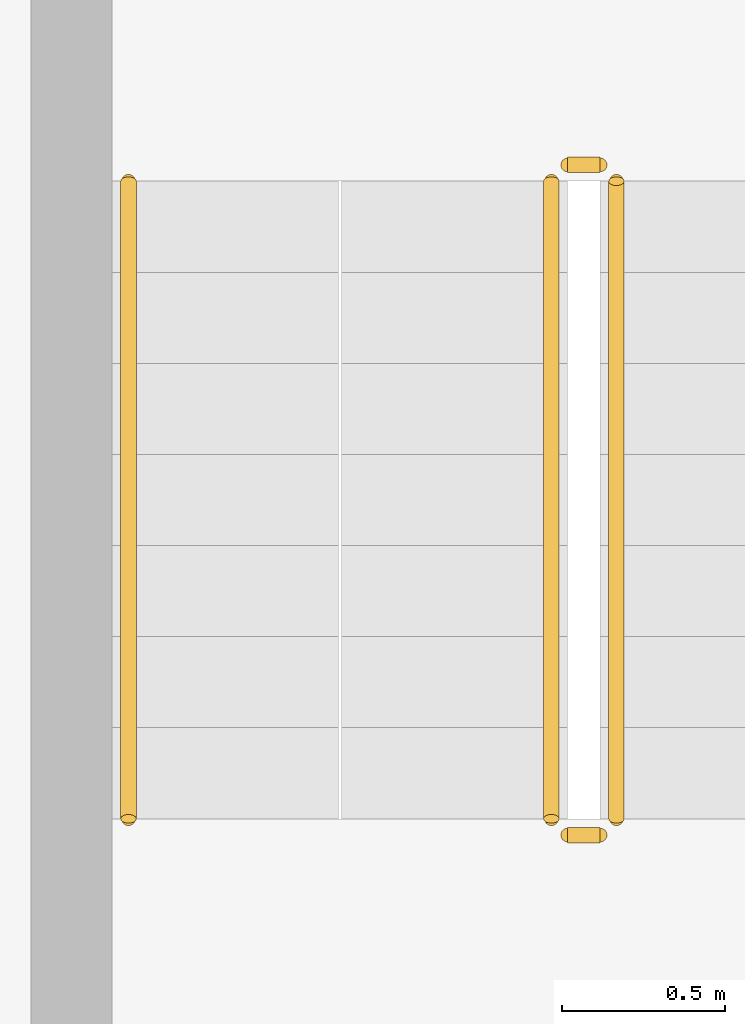
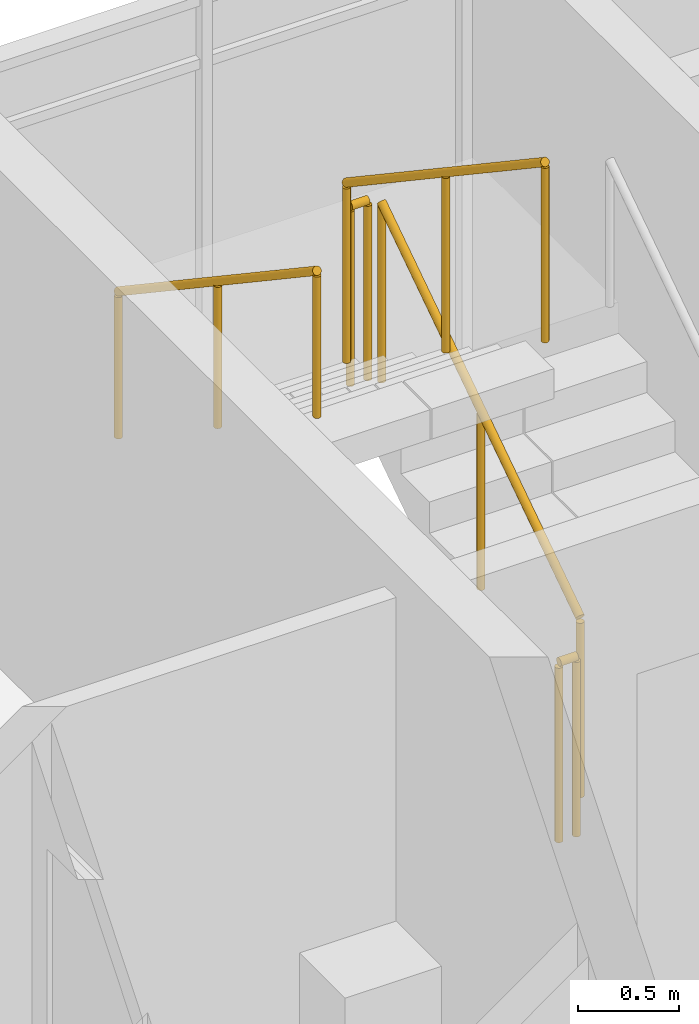
# One storey, part 78 of 94: 5 railings.
"""IFC4 building model written with IfcOpenShell, lengths in metres."""

from ifc_helpers import new_model, si_unit, direction, frame, origin, origin_2d, place, context, subcontext, project, spatial, circle, extrude, material, type_object, element, save


model = new_model("IFC4")

# Units and contexts
model_context = context("Model", 3, precision=1e-05, world=origin(), true_north=direction((0.0, 1.0)))
body_context = subcontext(model_context, "Body", "Model", "MODEL_VIEW")
ifc_project = project(units=[si_unit("LENGTHUNIT", "METRE"), si_unit("AREAUNIT", "SQUARE_METRE"), si_unit("VOLUMEUNIT", "CUBIC_METRE"), si_unit("PLANEANGLEUNIT", "RADIAN"), si_unit("MASSUNIT", "GRAM", prefix="KILO")], contexts=[model_context])

# Site, building, storey
site_placement = place(None, origin())
site = spatial("IfcSite", under=ifc_project, at=site_placement, CompositionType="ELEMENT")
building_placement = place(site_placement, origin())
building = spatial("IfcBuilding", under=site, at=building_placement, Name="Ridgestep Commons", CompositionType="ELEMENT")
storey_placement = place(building_placement, frame((0.0, 0.0, 24.0)))
storey = spatial("IfcBuildingStorey", under=building, at=storey_placement, Name="L08", CompositionType="ELEMENT", Elevation=24.0)

# Railings
ifc_material_1 = material(Name="Structural steel S355JR", Category="steel")
railing_type_1 = type_object("IfcRailingType", Name="Stair guard 1100", PredefinedType="GUARDRAIL", material=ifc_material_1)
railing_1_placement = place(storey_placement, frame((74.875, 73.60009765625, 0.1875)))
element("IfcRailing", 1, at=railing_1_placement, inside=storey, type_object=railing_type_1, Name="L08 B4C stair guard 1", PredefinedType="GUARDRAIL", context=body_context, shape_type="SweptSolid", body=[
    extrude(circle(Radius=0.02392578125, at=origin_2d()), frame((0.0, 0.0, 1.076171875), z_axis=(0.0, 0.830902050051, 0.556418712142), x_axis=(-1.0, 0.0, 0.0)), (0.0, 0.0, 1.0), 2.35888671875),
    extrude(circle(Radius=0.02099609375, at=origin_2d()), origin(), (0.0, 0.0, 1.0), 1.052001953125),
    extrude(circle(Radius=0.02099609375, at=origin_2d()), frame((0.0, 0.97998046875, 0.65625)), (0.0, 0.0, 1.0), 1.052001953125),
    extrude(circle(Radius=0.02099609375, at=origin_2d()), frame((0.0, 1.9599609375, 1.3125)), (0.0, 0.0, 1.0), 1.052001953125),
])
railing_2_placement = place(storey_placement, frame((74.824951171875, 75.610107421875, 1.5)))
element("IfcRailing", 2, at=railing_2_placement, inside=storey, type_object=railing_type_1, Name="L08 B4C stair guard 2", PredefinedType="GUARDRAIL", context=body_context, shape_type="SweptSolid", body=[
    extrude(circle(Radius=0.02392578125, at=origin_2d()), frame((0.0, 0.0, 1.076171875), z_axis=(-1.0, 0.0, 0.0), x_axis=(0.0, -1.0, 0.0)), (0.0, 0.0, 1.0), 0.099853515625),
    extrude(circle(Radius=0.02099609375, at=origin_2d()), origin(), (0.0, 0.0, 1.0), 1.052001953125),
    extrude(circle(Radius=0.02099609375, at=origin_2d()), frame((-0.099853515625, 0.0, 0.0)), (0.0, 0.0, 1.0), 1.052001953125),
])
railing_3_placement = place(storey_placement, frame((74.675048828125, 75.56005859375, 1.6875)))
element("IfcRailing", 3, at=railing_3_placement, inside=storey, type_object=railing_type_1, Name="L08 B4C stair guard 3", PredefinedType="GUARDRAIL", context=body_context, shape_type="SweptSolid", body=[
    extrude(circle(Radius=0.02392578125, at=origin_2d()), frame((0.0, 0.0, 1.076171875), z_axis=(0.0, -0.830902050051, 0.556418712142), x_axis=(1.0, 0.0, 0.0)), (0.0, 0.0, 1.0), 2.35888671875),
    extrude(circle(Radius=0.02099609375, at=origin_2d()), origin(), (0.0, 0.0, 1.0), 1.052001953125),
    extrude(circle(Radius=0.02099609375, at=origin_2d()), frame((0.0, -0.97998046875, 0.65625)), (0.0, 0.0, 1.0), 1.052001953125),
    extrude(circle(Radius=0.02099609375, at=origin_2d()), frame((0.0, -1.9599609375, 1.3125)), (0.0, 0.0, 1.0), 1.052001953125),
])
railing_4_placement = place(storey_placement, frame((74.824951171875, 73.550048828125, 0.0)))
element("IfcRailing", 4, at=railing_4_placement, inside=storey, type_object=railing_type_1, Name="L08 B4C stair guard 4", PredefinedType="GUARDRAIL", context=body_context, shape_type="SweptSolid", body=[
    extrude(circle(Radius=0.02392578125, at=origin_2d()), frame((0.0, 0.0, 1.076171875), z_axis=(-1.0, 0.0, 0.0), x_axis=(0.0, -1.0, 0.0)), (0.0, 0.0, 1.0), 0.099853515625),
    extrude(circle(Radius=0.02099609375, at=origin_2d()), origin(), (0.0, 0.0, 1.0), 1.052001953125),
    extrude(circle(Radius=0.02099609375, at=origin_2d()), frame((-0.099853515625, 0.0, 0.0)), (0.0, 0.0, 1.0), 1.052001953125),
])
ifc_material_2 = material(Name="Structural steel S355JR", Category="steel")
railing_type_2 = type_object("IfcRailingType", Name="Stair handrail 900", PredefinedType="HANDRAIL", material=ifc_material_2)
railing_5_placement = place(storey_placement, frame((73.375, 75.56005859375, 1.6875)))
element("IfcRailing", 5, at=railing_5_placement, inside=storey, type_object=railing_type_2, Name="L08 B4C stair handrail 2", PredefinedType="HANDRAIL", context=body_context, shape_type="SweptSolid", body=[
    extrude(circle(Radius=0.02392578125, at=origin_2d()), frame((0.0, 0.0, 0.8759765625), z_axis=(0.0, -0.830902050051, 0.556418712142), x_axis=(1.0, 0.0, 0.0)), (0.0, 0.0, 1.0), 2.35888671875),
    extrude(circle(Radius=0.02099609375, at=origin_2d()), origin(), (0.0, 0.0, 1.0), 0.851806640625),
    extrude(circle(Radius=0.02099609375, at=origin_2d()), frame((0.0, -0.97998046875, 0.65625)), (0.0, 0.0, 1.0), 0.851806640625),
    extrude(circle(Radius=0.02099609375, at=origin_2d()), frame((0.0, -1.9599609375, 1.3125)), (0.0, 0.0, 1.0), 0.851806640625),
])

save(model, "model.ifc")
